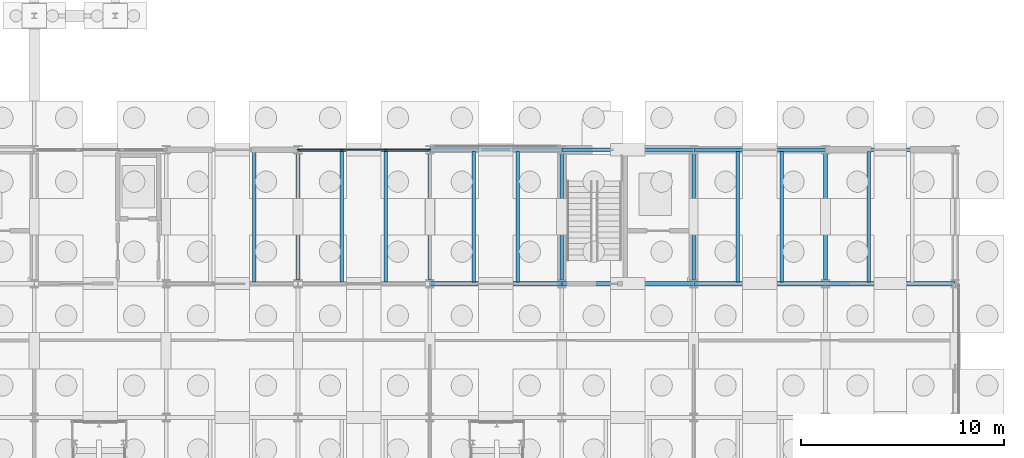
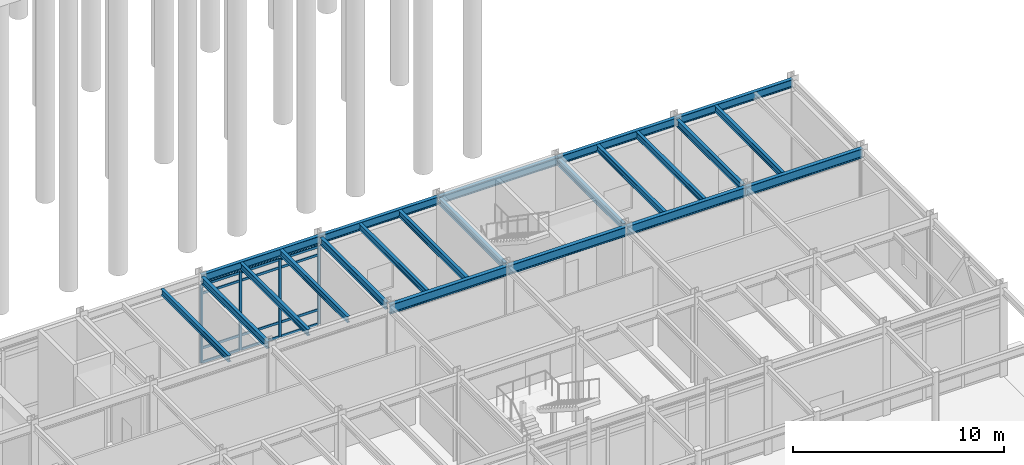
# One storey, part 45 of 82: 22 beams, 16 members, 1 element without a shape of its own.
"""IFC4 building model written with IfcOpenShell, lengths in metres."""

import ifcopenshell
import ifcopenshell.guid

model = None  # the IFC model being written
_history = None  # IfcOwnerHistory: only IFC2X3 demands one
_inside = {}  # id of a spatial element -> (the spatial element, [elements in it])
_under = {}  # id of a project, library or spatial element -> (it, [spatial elements below it])
_declared = {}  # id of a project -> (the project, [libraries it declares])
_typed = {}  # id of a type object -> (the type object, [elements of that type])
_made_of = {}  # id of a material, layer set ... -> (it, [elements and type objects made of it])


def new_model(schema):
    """Start an empty IFC model of exactly this schema.

    Asked for "IFC4X3", IfcOpenShell would pick the latest addendum, in which some entities
    have other attributes; the version numbers below select the first issue.
    IFC2X3 requires an IfcOwnerHistory on every rooted entity: one is made here for all.
    """
    global model, _history
    if schema == "IFC4X3":
        model = ifcopenshell.file(schema_version=(4, 3, 0, 0))
    else:
        model = ifcopenshell.file(schema=schema)
    _inside.clear()
    _under.clear()
    _declared.clear()
    _typed.clear()
    _made_of.clear()
    _history = None
    if model.schema == "IFC2X3":
        org = make("IfcOrganization", Name="unknown")
        user = make(
            "IfcPersonAndOrganization",
            ThePerson=make("IfcPerson", FamilyName="unknown"),
            TheOrganization=org,
        )
        app = make(
            "IfcApplication",
            ApplicationDeveloper=org,
            Version="unknown",
            ApplicationFullName="unknown",
            ApplicationIdentifier="unknown",
        )
        _history = make(
            "IfcOwnerHistory",
            OwningUser=user,
            OwningApplication=app,
            ChangeAction="ADDED",
            CreationDate=0,
        )
    return model


def make(cls, **values):
    """One entity of the class cls with the attributes given. An attribute that is None is left unset."""
    return model.create_entity(
        cls, **{name: value for name, value in values.items() if value is not None}
    )


def rooted(cls, **values):
    """An entity with a GlobalId (a new one), such as an element, a storey or a relation."""
    return make(cls, GlobalId=ifcopenshell.guid.new(), OwnerHistory=_history, **values)


def si_unit(unit_type, name, prefix=None):
    """IfcSIUnit, for example si_unit("LENGTHUNIT", "METRE", prefix="MILLI")."""
    return make("IfcSIUnit", UnitType=unit_type, Prefix=prefix, Name=name)


def assignment(units):
    """IfcUnitAssignment: the units of a project."""
    return None if units is None else make("IfcUnitAssignment", Units=units)


def point(xyz):
    """IfcCartesianPoint."""
    return None if xyz is None else make("IfcCartesianPoint", Coordinates=xyz)


def direction(xyz):
    """IfcDirection."""
    return None if xyz is None else make("IfcDirection", DirectionRatios=xyz)


def frame(location, z_axis=None, x_axis=None):
    """IfcAxis2Placement3D, a coordinate frame: its origin and axes. An axis left out is left unset."""
    return make(
        "IfcAxis2Placement3D",
        Location=point(location),
        Axis=direction(z_axis),
        RefDirection=direction(x_axis),
    )


def frame_2d(location, x_axis=None):
    """IfcAxis2Placement2D, a coordinate frame in the plane: its origin and x axis."""
    return make(
        "IfcAxis2Placement2D", Location=point(location), RefDirection=direction(x_axis)
    )


def origin():
    """The frame at (0, 0, 0) with its axes left unset."""
    return frame((0.0, 0.0, 0.0))


def origin_2d():
    """The frame at (0, 0) in the plane with its x axis left unset."""
    return frame_2d((0.0, 0.0))


def place(relative_to, where):
    """IfcLocalPlacement: puts the frame where relative to a parent placement (None: the world)."""
    return make(
        "IfcLocalPlacement", PlacementRelTo=relative_to, RelativePlacement=where
    )


def context(
    kind, dimensions, precision=None, world=None, true_north=None, identifier=None
):
    """IfcGeometricRepresentationContext, for example the 3D "Model" context."""
    return make(
        "IfcGeometricRepresentationContext",
        ContextIdentifier=identifier,
        ContextType=kind,
        CoordinateSpaceDimension=dimensions,
        Precision=precision,
        WorldCoordinateSystem=world,
        TrueNorth=true_north,
    )


def subcontext(parent, identifier, kind, view, scale=None):
    """IfcGeometricRepresentationSubContext, for example "Body" below "Model"."""
    return make(
        "IfcGeometricRepresentationSubContext",
        ContextIdentifier=identifier,
        ContextType=kind,
        ParentContext=parent,
        TargetScale=scale,
        TargetView=view,
    )


def project(units=None, contexts=None):
    """IfcProject with its units and contexts."""
    return rooted(
        "IfcProject",
        Name="project",
        RepresentationContexts=contexts,
        UnitsInContext=assignment(units),
    )


def spatial(cls, under=None, at=None, **own):
    """A site, building, storey or space (cls), placed at a placement, below another one or the project."""
    s = rooted(cls, ObjectPlacement=at, **own)
    if under is not None:
        _under.setdefault(under.id(), (under, []))[1].append(s)
    return s


def profile(cls, at=None, kind="AREA", **sizes):
    """A parametric profile (cls). Its sizes go by their IFC names, for example OverallWidth=200.0."""
    return make(cls, ProfileType=kind, Position=at, **sizes)


def rectangle(**sizes):
    """IfcRectangleProfileDef."""
    return profile("IfcRectangleProfileDef", **sizes)


def i_section(**sizes):
    """IfcIShapeProfileDef."""
    return profile("IfcIShapeProfileDef", **sizes)


def extrude(swept, where, along, depth):
    """IfcExtrudedAreaSolid: the profile swept, set in the frame where, extruded along a direction by depth."""
    return make(
        "IfcExtrudedAreaSolid",
        SweptArea=swept,
        Position=where,
        ExtrudedDirection=direction(along),
        Depth=depth,
    )


def shape(context_of_items, identifier, shape_type, items):
    """IfcShapeRepresentation: the items that make up one representation, for example the "Body"."""
    return make(
        "IfcShapeRepresentation",
        ContextOfItems=context_of_items,
        RepresentationIdentifier=identifier,
        RepresentationType=shape_type,
        Items=items,
    )


def material(Name=None, Category=None):
    """IfcMaterial."""
    return make("IfcMaterial", Name=Name, Category=Category)


def layer(
    of_material, thickness, ventilated=None, Name=None, Category=None, Priority=None
):
    """IfcMaterialLayer: one layer of a wall or slab, of a material (None: an air gap)."""
    return make(
        "IfcMaterialLayer",
        Material=of_material,
        LayerThickness=thickness,
        IsVentilated=ventilated,
        Name=Name,
        Category=Category,
        Priority=Priority,
    )


def layer_set(layers, Name=None):
    """IfcMaterialLayerSet."""
    return make("IfcMaterialLayerSet", MaterialLayers=layers, LayerSetName=Name)


def material_profile(
    of_material, cross_section, Name=None, Category=None, Priority=None
):
    """IfcMaterialProfile: a cross section and its material."""
    return make(
        "IfcMaterialProfile",
        Name=Name,
        Material=of_material,
        Profile=cross_section,
        Priority=Priority,
        Category=Category,
    )


def profile_set(profiles, Name=None, composite=None):
    """IfcMaterialProfileSet."""
    return make(
        "IfcMaterialProfileSet",
        Name=Name,
        MaterialProfiles=profiles,
        CompositeProfile=composite,
    )


def made_of(thing, what):
    """Note that an element or type object is made of a material, layer set ...; save() writes the relation."""
    if what is not None:
        _made_of.setdefault(what.id(), (what, []))[1].append(thing)
    return thing


def type_object(cls, material=None, **own):
    """A type object (cls), such as IfcWallType, which elements share."""
    return made_of(rooted(cls, **own), material)


def element(
    cls,
    number,
    at=None,
    inside=None,
    cuts=None,
    type_object=None,
    material=None,
    context=None,
    identifier="Body",
    shape_type=None,
    held_by="IfcProductDefinitionShape",
    body=None,
    shapes=None,
    **own,
):
    """One element of the class cls, such as IfcWall. Its Tag is "e" and its number.

    at: its placement. inside: the storey or other place that contains it. cuts: it is an
    opening in that element (IfcRelVoidsElement). A single representation is given by context,
    identifier, shape_type and body (its items); several are given by shapes. held_by: the class
    of the entity that holds the representations. save() writes the other relations.
    """
    e = rooted(cls, Tag="e%d" % number, ObjectPlacement=at, **own)
    if body is not None:
        shapes = [shape(context, identifier, shape_type, body)]
    if shapes is not None:
        e.Representation = make(held_by, Representations=shapes)
    if inside is not None:
        _inside.setdefault(inside.id(), (inside, []))[1].append(e)
    if cuts is not None:
        rooted(
            "IfcRelVoidsElement", RelatingBuildingElement=cuts, RelatedOpeningElement=e
        )
    if type_object is not None:
        _typed.setdefault(type_object.id(), (type_object, []))[1].append(e)
    return made_of(e, material)


def aggregate(whole, parts):
    """IfcRelAggregates: a whole, such as a stair, and the parts it consists of."""
    return rooted("IfcRelAggregates", RelatingObject=whole, RelatedObjects=parts)


def save(model, path):
    """Write the relations noted so far, then the file.

    IfcRelAggregates (storeys below a building ...), IfcRelContainedInSpatialStructure (elements
    in a storey), IfcRelDefinesByType, IfcRelAssociatesMaterial and IfcRelDeclares: one each for
    every whole, place, type object, material and project.
    """
    for whole, parts in _under.values():
        aggregate(whole, parts)
    for where, things in _inside.values():
        rooted(
            "IfcRelContainedInSpatialStructure",
            RelatedElements=things,
            RelatingStructure=where,
        )
    for kind, things in _typed.values():
        rooted("IfcRelDefinesByType", RelatedObjects=things, RelatingType=kind)
    for what, things in _made_of.values():
        rooted("IfcRelAssociatesMaterial", RelatedObjects=things, RelatingMaterial=what)
    for by, libraries in _declared.values():
        rooted("IfcRelDeclares", RelatingContext=by, RelatedDefinitions=libraries)
    model.write(path)


model = new_model("IFC4")

# Units and contexts
model_context = context("Model", 3, precision=1e-05, world=origin(), true_north=direction((0.0, 1.0)))
body_context = subcontext(model_context, "Body", "Model", "MODEL_VIEW")
ifc_project = project(units=[si_unit("LENGTHUNIT", "METRE"), si_unit("AREAUNIT", "SQUARE_METRE"), si_unit("VOLUMEUNIT", "CUBIC_METRE"), si_unit("PLANEANGLEUNIT", "RADIAN"), si_unit("MASSUNIT", "GRAM", prefix="KILO")], contexts=[model_context])

# Site, building, storey
site_placement = place(None, origin())
site = spatial("IfcSite", under=ifc_project, at=site_placement, CompositionType="ELEMENT")
building_placement = place(site_placement, origin())
building = spatial("IfcBuilding", under=site, at=building_placement, Name="Trelmorton Wharf Fire Station", CompositionType="ELEMENT")
storey_placement = place(building_placement, origin())
storey = spatial("IfcBuildingStorey", under=building, at=storey_placement, Name="L00", CompositionType="ELEMENT", Elevation=0.0)

# Beams
ifc_material_1 = material(Name="Steel Grade 350", Category="steel")
ifc_material_profile_1 = material_profile(ifc_material_1, i_section(OverallWidth=0.177978515625, OverallDepth=0.406005859375, WebThickness=0.0078125, FlangeThickness=0.0126953125, FilletRadius=0.011474609375, at=origin_2d()), Name="410UB59.7")
ifc_profile_set_1 = profile_set([ifc_material_profile_1], Name="Steel Grade 350")
beam_type_1 = type_object("IfcBeamType", Name="BM_410UB60", PredefinedType="BEAM", material=ifc_profile_set_1)
for number, where, z_axis, x_axis, name in (
    (1, (130.0, 21.196044921875, 4.927001953125), (0.0, 1.0, 0.0), (-1.0, 0.0, 0.0), "BM-L00-0354"),
    (2, (136.5, 21.196044921875, 4.927001953125), (0.0, 1.0, 0.0), (-1.0, 0.0, 0.0), "BM-L00-0361"),
    (3, (143.0, 21.196044921875, 4.927001953125), (0.0, 1.0, 0.0), (-1.0, 0.0, 0.0), "BM-L00-0368"),
    (4, (149.5, 21.196044921875, 4.927001953125), (0.0, 1.0, 0.0), (-1.0, 0.0, 0.0), "BM-L00-0375"),
    (5, (156.0, 21.196044921875, 4.927001953125), (0.0, 1.0, 0.0), (-1.0, 0.0, 0.0), "BM-L00-0382"),
):
    element("IfcBeam", number, at=place(storey_placement, frame(where, z_axis=z_axis, x_axis=x_axis)), inside=storey, type_object=beam_type_1, Name=name, PredefinedType="BEAM", context=body_context, shape_type="SweptSolid", body=[
        extrude(i_section(OverallWidth=0.177978515625, OverallDepth=0.406005859375, WebThickness=0.0078125, FlangeThickness=0.0126953125, FilletRadius=0.011474609375, at=origin_2d()), origin(), (0.0, 0.0, 1.0), 6.2080078125),
    ])
ifc_material_profile_2 = material_profile(ifc_material_1, i_section(OverallWidth=0.208984375, OverallDepth=0.532958984375, WebThickness=0.01025390625, FlangeThickness=0.015625, FilletRadius=0.013916015625, at=origin_2d()), Name="530UB92.4")
ifc_profile_set_2 = profile_set([ifc_material_profile_2], Name="Steel Grade 350")
beam_type_2 = type_object("IfcBeamType", Name="BM_530UB92", PredefinedType="BEAM", material=ifc_profile_set_2)
for number, where, z_axis, x_axis, name in (
    (6, (136.508056640625, 21.0, 4.863525390625), (1.0, 0.0, 0.0), (0.0, 1.0, 0.0), "BM-L00-0076"),
    (7, (143.008056640625, 21.0, 4.863525390625), (1.0, 0.0, 0.0), (0.0, 1.0, 0.0), "BM-L00-0077"),
    (8, (149.508056640625, 21.0, 4.863525390625), (1.0, 0.0, 0.0), (0.0, 1.0, 0.0), "BM-L00-0078"),
):
    element("IfcBeam", number, at=place(storey_placement, frame(where, z_axis=z_axis, x_axis=x_axis)), inside=storey, type_object=beam_type_2, Name=name, PredefinedType="BEAM", context=body_context, shape_type="SweptSolid", body=[
        extrude(i_section(OverallWidth=0.208984375, OverallDepth=0.532958984375, WebThickness=0.01025390625, FlangeThickness=0.015625, FilletRadius=0.013916015625, at=origin_2d()), origin(), (0.0, 0.0, 1.0), 6.48388671875),
    ])
beam_1_placement = place(storey_placement, frame((156.008056640625, 21.0, 4.863525390625), z_axis=(1.0, 0.0, 0.0), x_axis=(0.0, 1.0, 0.0)))
element("IfcBeam", 9, at=beam_1_placement, inside=storey, type_object=beam_type_2, Name="BM-L00-0079", PredefinedType="BEAM", context=body_context, shape_type="SweptSolid", body=[
    extrude(i_section(OverallWidth=0.208984375, OverallDepth=0.532958984375, WebThickness=0.01025390625, FlangeThickness=0.015625, FilletRadius=0.013916015625, at=origin_2d()), origin(), (0.0, 0.0, 1.0), 6.384033203125),
])

# Curtain wall, members
ifc_material_2 = material(Name="Anodised aluminium AW-6063", Category="aluminium")
ifc_layer = layer(ifc_material_2, 0.14990234375)
ifc_layer_set = layer_set([ifc_layer], Name="Anodised aluminium AW-6063")
curtain_wall_type = type_object("IfcCurtainWallType", Name="CW_UNIT_A", PredefinedType="USERDEFINED", material=ifc_layer_set)
curtain_wall_placement = place(storey_placement, origin())
curtain_wall = element("IfcCurtainWall", 10, at=curtain_wall_placement, inside=storey, type_object=curtain_wall_type, Name="CW-V5-L00-037", ObjectType="UNITISED CURTAIN WALL", PredefinedType="USERDEFINED")
ifc_material_profile_3 = material_profile(ifc_material_2, rectangle(XDim=0.06494140625, YDim=0.159912109375, at=origin_2d()), Name="ALU-65x160")
ifc_profile_set_3 = profile_set([ifc_material_profile_3], Name="Anodised aluminium AW-6063")
member_type_1 = type_object("IfcMemberType", Name="CWM_65x160", PredefinedType="MULLION", material=ifc_profile_set_3)
member_1_placement = place(storey_placement, frame((130.034912109375, 27.60009765625, 0.0), z_axis=(0.0, 0.0, 1.0), x_axis=(0.0, 1.0, 0.0)))
member_1 = element("IfcMember", 11, at=member_1_placement, type_object=member_type_1, Name="CW3 mullion 1", PredefinedType="MULLION", context=body_context, shape_type="SweptSolid", body=[
    extrude(rectangle(XDim=0.06494140625, YDim=0.159912109375, at=origin_2d()), origin(), (0.0, 0.0, 1.0), 4.52001953125),
])
member_2_placement = place(storey_placement, frame((132.168212890625, 27.60009765625, 0.0), z_axis=(0.0, 0.0, 1.0), x_axis=(0.0, 1.0, 0.0)))
member_2 = element("IfcMember", 12, at=member_2_placement, type_object=member_type_1, Name="CW3 mullion 2", PredefinedType="MULLION", context=body_context, shape_type="SweptSolid", body=[
    extrude(rectangle(XDim=0.06494140625, YDim=0.159912109375, at=origin_2d()), origin(), (0.0, 0.0, 1.0), 4.52001953125),
])
member_3_placement = place(storey_placement, frame((134.331787109375, 27.60009765625, 0.0), z_axis=(0.0, 0.0, 1.0), x_axis=(0.0, 1.0, 0.0)))
member_3 = element("IfcMember", 13, at=member_3_placement, type_object=member_type_1, Name="CW3 mullion 3", PredefinedType="MULLION", context=body_context, shape_type="SweptSolid", body=[
    extrude(rectangle(XDim=0.06494140625, YDim=0.159912109375, at=origin_2d()), origin(), (0.0, 0.0, 1.0), 4.52001953125),
])
member_4_placement = place(storey_placement, frame((136.465087890625, 27.60009765625, 0.0), z_axis=(0.0, 0.0, 1.0), x_axis=(0.0, 1.0, 0.0)))
member_4 = element("IfcMember", 14, at=member_4_placement, type_object=member_type_1, Name="CW3 mullion 4", PredefinedType="MULLION", context=body_context, shape_type="SweptSolid", body=[
    extrude(rectangle(XDim=0.06494140625, YDim=0.159912109375, at=origin_2d()), origin(), (0.0, 0.0, 1.0), 4.52001953125),
])
ifc_material_profile_4 = material_profile(ifc_material_2, rectangle(XDim=0.06494140625, YDim=0.139892578125, at=origin_2d()), Name="ALU-65x140")
ifc_profile_set_4 = profile_set([ifc_material_profile_4], Name="Anodised aluminium AW-6063")
member_type_2 = type_object("IfcMemberType", Name="CWT_65x140", PredefinedType="USERDEFINED", material=ifc_profile_set_4)
member_5_placement = place(storey_placement, frame((130.06494140625, 27.60009765625, 0.030029296875), z_axis=(1.0, 0.0, 0.0), x_axis=(0.0, 1.0, 0.0)))
member_5 = element("IfcMember", 15, at=member_5_placement, type_object=member_type_2, Name="CW3 transom 1.1", ObjectType="TRANSOM", PredefinedType="USERDEFINED", context=body_context, shape_type="SweptSolid", body=[
    extrude(rectangle(XDim=0.06494140625, YDim=0.139892578125, at=origin_2d()), origin(), (0.0, 0.0, 1.0), 2.073486328125),
])
member_6_placement = place(storey_placement, frame((130.06494140625, 27.60009765625, 0.85009765625), z_axis=(1.0, 0.0, 0.0), x_axis=(0.0, 1.0, 0.0)))
member_6 = element("IfcMember", 16, at=member_6_placement, type_object=member_type_2, Name="CW3 transom 1.2", ObjectType="TRANSOM", PredefinedType="USERDEFINED", context=body_context, shape_type="SweptSolid", body=[
    extrude(rectangle(XDim=0.06494140625, YDim=0.139892578125, at=origin_2d()), origin(), (0.0, 0.0, 1.0), 2.073486328125),
])
member_7_placement = place(storey_placement, frame((130.06494140625, 27.60009765625, 4.02001953125), z_axis=(1.0, 0.0, 0.0), x_axis=(0.0, 1.0, 0.0)))
member_7 = element("IfcMember", 17, at=member_7_placement, type_object=member_type_2, Name="CW3 transom 1.3", ObjectType="TRANSOM", PredefinedType="USERDEFINED", context=body_context, shape_type="SweptSolid", body=[
    extrude(rectangle(XDim=0.06494140625, YDim=0.139892578125, at=origin_2d()), origin(), (0.0, 0.0, 1.0), 2.073486328125),
])
member_8_placement = place(storey_placement, frame((130.06494140625, 27.60009765625, 4.489990234375), z_axis=(1.0, 0.0, 0.0), x_axis=(0.0, 1.0, 0.0)))
member_8 = element("IfcMember", 18, at=member_8_placement, type_object=member_type_2, Name="CW3 transom 1.4", ObjectType="TRANSOM", PredefinedType="USERDEFINED", context=body_context, shape_type="SweptSolid", body=[
    extrude(rectangle(XDim=0.06494140625, YDim=0.139892578125, at=origin_2d()), origin(), (0.0, 0.0, 1.0), 2.073486328125),
])
member_9_placement = place(storey_placement, frame((132.1982421875, 27.60009765625, 0.030029296875), z_axis=(1.0, 0.0, 0.0), x_axis=(0.0, 1.0, 0.0)))
member_9 = element("IfcMember", 19, at=member_9_placement, type_object=member_type_2, Name="CW3 transom 2.1", ObjectType="TRANSOM", PredefinedType="USERDEFINED", context=body_context, shape_type="SweptSolid", body=[
    extrude(rectangle(XDim=0.06494140625, YDim=0.139892578125, at=origin_2d()), origin(), (0.0, 0.0, 1.0), 2.103515625),
])
member_10_placement = place(storey_placement, frame((132.1982421875, 27.60009765625, 0.85009765625), z_axis=(1.0, 0.0, 0.0), x_axis=(0.0, 1.0, 0.0)))
member_10 = element("IfcMember", 20, at=member_10_placement, type_object=member_type_2, Name="CW3 transom 2.2", ObjectType="TRANSOM", PredefinedType="USERDEFINED", context=body_context, shape_type="SweptSolid", body=[
    extrude(rectangle(XDim=0.06494140625, YDim=0.139892578125, at=origin_2d()), origin(), (0.0, 0.0, 1.0), 2.103515625),
])
member_11_placement = place(storey_placement, frame((132.1982421875, 27.60009765625, 4.02001953125), z_axis=(1.0, 0.0, 0.0), x_axis=(0.0, 1.0, 0.0)))
member_11 = element("IfcMember", 21, at=member_11_placement, type_object=member_type_2, Name="CW3 transom 2.3", ObjectType="TRANSOM", PredefinedType="USERDEFINED", context=body_context, shape_type="SweptSolid", body=[
    extrude(rectangle(XDim=0.06494140625, YDim=0.139892578125, at=origin_2d()), origin(), (0.0, 0.0, 1.0), 2.103515625),
])
member_12_placement = place(storey_placement, frame((132.1982421875, 27.60009765625, 4.489990234375), z_axis=(1.0, 0.0, 0.0), x_axis=(0.0, 1.0, 0.0)))
member_12 = element("IfcMember", 22, at=member_12_placement, type_object=member_type_2, Name="CW3 transom 2.4", ObjectType="TRANSOM", PredefinedType="USERDEFINED", context=body_context, shape_type="SweptSolid", body=[
    extrude(rectangle(XDim=0.06494140625, YDim=0.139892578125, at=origin_2d()), origin(), (0.0, 0.0, 1.0), 2.103515625),
])
member_13_placement = place(storey_placement, frame((134.361572265625, 27.60009765625, 0.030029296875), z_axis=(1.0, 0.0, 0.0), x_axis=(0.0, 1.0, 0.0)))
member_13 = element("IfcMember", 23, at=member_13_placement, type_object=member_type_2, Name="CW3 transom 3.1", ObjectType="TRANSOM", PredefinedType="USERDEFINED", context=body_context, shape_type="SweptSolid", body=[
    extrude(rectangle(XDim=0.06494140625, YDim=0.139892578125, at=origin_2d()), origin(), (0.0, 0.0, 1.0), 2.073486328125),
])
member_14_placement = place(storey_placement, frame((134.361572265625, 27.60009765625, 0.85009765625), z_axis=(1.0, 0.0, 0.0), x_axis=(0.0, 1.0, 0.0)))
member_14 = element("IfcMember", 24, at=member_14_placement, type_object=member_type_2, Name="CW3 transom 3.2", ObjectType="TRANSOM", PredefinedType="USERDEFINED", context=body_context, shape_type="SweptSolid", body=[
    extrude(rectangle(XDim=0.06494140625, YDim=0.139892578125, at=origin_2d()), origin(), (0.0, 0.0, 1.0), 2.073486328125),
])
member_15_placement = place(storey_placement, frame((134.361572265625, 27.60009765625, 4.02001953125), z_axis=(1.0, 0.0, 0.0), x_axis=(0.0, 1.0, 0.0)))
member_15 = element("IfcMember", 25, at=member_15_placement, type_object=member_type_2, Name="CW3 transom 3.3", ObjectType="TRANSOM", PredefinedType="USERDEFINED", context=body_context, shape_type="SweptSolid", body=[
    extrude(rectangle(XDim=0.06494140625, YDim=0.139892578125, at=origin_2d()), origin(), (0.0, 0.0, 1.0), 2.073486328125),
])
member_16_placement = place(storey_placement, frame((134.361572265625, 27.60009765625, 4.489990234375), z_axis=(1.0, 0.0, 0.0), x_axis=(0.0, 1.0, 0.0)))
member_16 = element("IfcMember", 26, at=member_16_placement, type_object=member_type_2, Name="CW3 transom 3.4", ObjectType="TRANSOM", PredefinedType="USERDEFINED", context=body_context, shape_type="SweptSolid", body=[
    extrude(rectangle(XDim=0.06494140625, YDim=0.139892578125, at=origin_2d()), origin(), (0.0, 0.0, 1.0), 2.073486328125),
])
aggregate(curtain_wall, [member_1, member_2, member_3, member_4, member_5, member_6, member_7, member_8, member_9, member_10, member_11, member_12, member_13, member_14, member_15, member_16])

# Beams
ifc_material_profile_5 = material_profile(ifc_material_1, i_section(OverallWidth=0.172119140625, OverallDepth=0.35888671875, WebThickness=0.008056640625, FlangeThickness=0.012939453125, FilletRadius=0.011474609375, at=origin_2d()), Name="360UB56.7")
ifc_profile_set_5 = profile_set([ifc_material_profile_5], Name="Steel Grade 350")
beam_type_3 = type_object("IfcBeamType", Name="JS_360UB57", PredefinedType="JOIST", material=ifc_profile_set_5)
for number, where, z_axis, x_axis, name in (
    (27, (127.833251953125, 21.090087890625, 4.950439453125), (0.0, 1.0, 0.0), (-1.0, 0.0, 0.0), "JS-L00-0088"),
    (28, (132.166748046875, 21.090087890625, 4.950439453125), (0.0, 1.0, 0.0), (-1.0, 0.0, 0.0), "JS-L00-0097"),
    (29, (134.333251953125, 21.090087890625, 4.950439453125), (0.0, 1.0, 0.0), (-1.0, 0.0, 0.0), "JS-L00-0098"),
    (30, (138.666748046875, 21.090087890625, 4.950439453125), (0.0, 1.0, 0.0), (-1.0, 0.0, 0.0), "JS-L00-0105"),
    (31, (140.833251953125, 21.090087890625, 4.950439453125), (0.0, 1.0, 0.0), (-1.0, 0.0, 0.0), "JS-L00-0106"),
    (32, (151.666748046875, 21.090087890625, 4.950439453125), (0.0, 1.0, 0.0), (-1.0, 0.0, 0.0), "JS-L00-0121"),
    (33, (153.833251953125, 21.090087890625, 4.950439453125), (0.0, 1.0, 0.0), (-1.0, 0.0, 0.0), "JS-L00-0122"),
    (34, (158.13330078125, 21.090087890625, 4.950439453125), (0.0, 1.0, 0.0), (-1.0, 0.0, 0.0), "JS-L00-0131"),
):
    element("IfcBeam", number, at=place(storey_placement, frame(where, z_axis=z_axis, x_axis=x_axis)), inside=storey, type_object=beam_type_3, Name=name, PredefinedType="JOIST", context=body_context, shape_type="SweptSolid", body=[
        extrude(i_section(OverallWidth=0.172119140625, OverallDepth=0.35888671875, WebThickness=0.008056640625, FlangeThickness=0.012939453125, FilletRadius=0.011474609375, at=origin_2d()), origin(), (0.0, 0.0, 1.0), 6.419921875),
    ])
ifc_material_profile_6 = material_profile(ifc_material_1, i_section(OverallWidth=0.18994140625, OverallDepth=0.45703125, WebThickness=0.009033203125, FlangeThickness=0.014404296875, FilletRadius=0.011474609375, at=origin_2d()), Name="460UB74.6")
ifc_profile_set_6 = profile_set([ifc_material_profile_6], Name="Steel Grade 350")
beam_type_4 = type_object("IfcBeamType", Name="SP_460UB75", PredefinedType="SPANDREL", material=ifc_profile_set_6)
for number, where, z_axis, x_axis, name in (
    (35, (130.008056640625, 27.60009765625, 4.901611328125), (1.0, 0.0, 0.0), (0.0, 1.0, 0.0), "BM-L00-0098"),
    (36, (136.508056640625, 27.60009765625, 4.901611328125), (1.0, 0.0, 0.0), (0.0, 1.0, 0.0), "BM-L00-0099"),
    (37, (143.008056640625, 27.60009765625, 4.901611328125), (1.0, 0.0, 0.0), (0.0, 1.0, 0.0), "BM-L00-0100"),
    (38, (149.508056640625, 27.60009765625, 4.901611328125), (1.0, 0.0, 0.0), (0.0, 1.0, 0.0), "BM-L00-0101"),
):
    element("IfcBeam", number, at=place(storey_placement, frame(where, z_axis=z_axis, x_axis=x_axis)), inside=storey, type_object=beam_type_4, Name=name, PredefinedType="SPANDREL", context=body_context, shape_type="SweptSolid", body=[
        extrude(i_section(OverallWidth=0.18994140625, OverallDepth=0.45703125, WebThickness=0.009033203125, FlangeThickness=0.014404296875, FilletRadius=0.011474609375, at=origin_2d()), origin(), (0.0, 0.0, 1.0), 6.48388671875),
    ])
beam_2_placement = place(storey_placement, frame((156.008056640625, 27.60009765625, 4.901611328125), z_axis=(1.0, 0.0, 0.0), x_axis=(0.0, 1.0, 0.0)))
element("IfcBeam", 39, at=beam_2_placement, inside=storey, type_object=beam_type_4, Name="BM-L00-0102", PredefinedType="SPANDREL", context=body_context, shape_type="SweptSolid", body=[
    extrude(i_section(OverallWidth=0.18994140625, OverallDepth=0.45703125, WebThickness=0.009033203125, FlangeThickness=0.014404296875, FilletRadius=0.011474609375, at=origin_2d()), origin(), (0.0, 0.0, 1.0), 6.384033203125),
])

save(model, "model.ifc")
